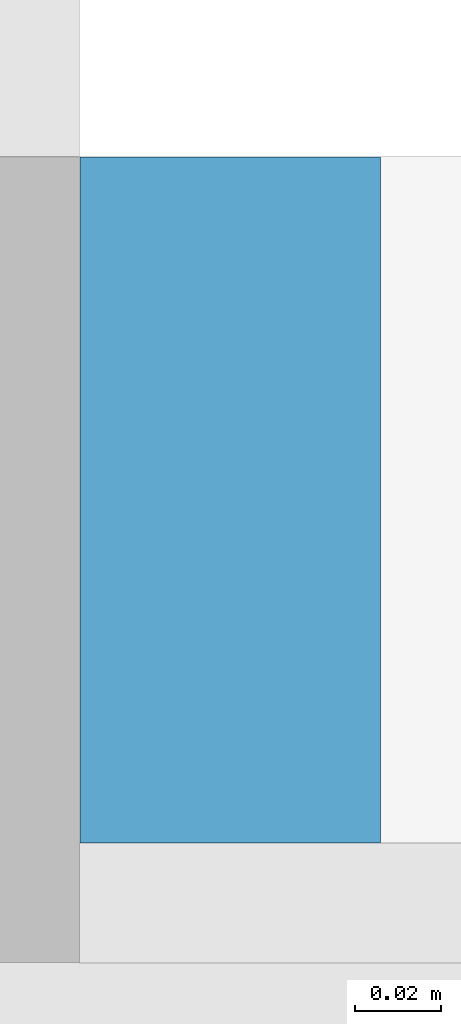
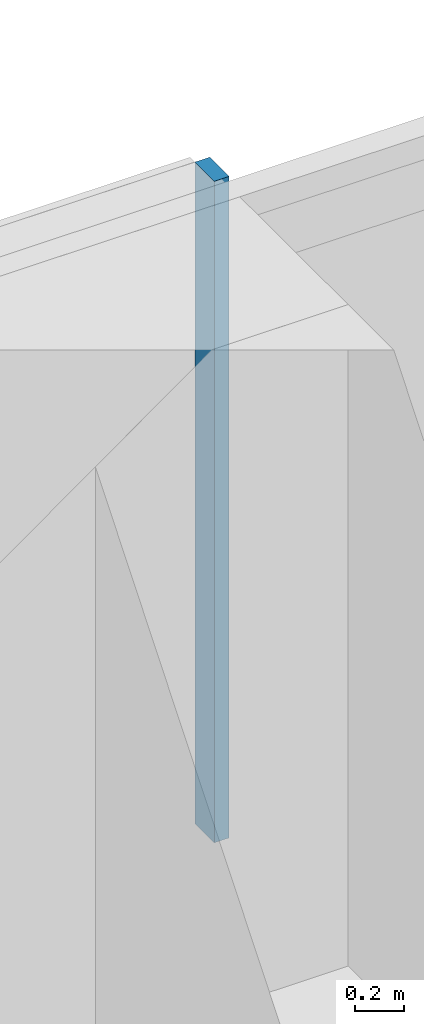
# One storey, part 10 of 29: 1 member, 1 element without a shape of its own.
"""IFC4 building model written with IfcOpenShell, lengths in metres."""

from ifc_helpers import new_model, si_unit, direction, frame, origin, origin_2d, place, context, subcontext, project, spatial, rectangle, extrude, material, material_profile, profile_set, type_object, element, aggregate, save


model = new_model("IFC4")

# Units and contexts
model_context = context("Model", 3, precision=1e-05, world=origin(), true_north=direction((0.0, 1.0)))
body_context = subcontext(model_context, "Body", "Model", "MODEL_VIEW")
ifc_project = project(units=[si_unit("LENGTHUNIT", "METRE"), si_unit("AREAUNIT", "SQUARE_METRE"), si_unit("VOLUMEUNIT", "CUBIC_METRE"), si_unit("PLANEANGLEUNIT", "RADIAN"), si_unit("MASSUNIT", "GRAM", prefix="KILO")], contexts=[model_context])

# Site, building, storey
site_placement = place(None, origin())
site = spatial("IfcSite", under=ifc_project, at=site_placement, CompositionType="ELEMENT")
building_placement = place(site_placement, origin())
building = spatial("IfcBuilding", under=site, at=building_placement, Name="Saffron Gate Tower", CompositionType="ELEMENT")
storey_placement = place(building_placement, frame((0.0, 0.0, 55.199951171875)))
storey = spatial("IfcBuildingStorey", under=building, at=storey_placement, Name="L12", CompositionType="ELEMENT", Elevation=55.199951171875)

# Curtain wall, member
ifc_material = material(Name="Aluminium, bronze anodised", Category="aluminium")
curtain_wall_type = type_object("IfcCurtainWallType", Name="CWS3 curtain wall rear facade", PredefinedType="NOTDEFINED", material=ifc_material)
curtain_wall_placement = place(storey_placement, origin())
curtain_wall = element("IfcCurtainWall", 1, at=curtain_wall_placement, inside=storey, type_object=curtain_wall_type, Name="CWS3 run 7", PredefinedType="NOTDEFINED")
ifc_material_profile = material_profile(ifc_material, rectangle(XDim=0.159912109375, YDim=0.070068359375, at=origin_2d()))
ifc_profile_set = profile_set([ifc_material_profile], Name="Aluminium, bronze anodised")
member_type = type_object("IfcMemberType", Name="CWS3 mullion 70x160", PredefinedType="MULLION", material=ifc_profile_set)
member_placement = place(storey_placement, frame((108.60009765625, 75.52001953125, 0.0), z_axis=(0.0, 0.0, 1.0), x_axis=(0.0, -1.0, 0.0)))
member = element("IfcMember", 2, at=member_placement, type_object=member_type, Name="CWS3 mullion 3", PredefinedType="MULLION", context=body_context, shape_type="SweptSolid", body=[
    extrude(rectangle(XDim=0.159912109375, YDim=0.070068359375, at=origin_2d()), origin(), (0.0, 0.0, 1.0), 3.320068359375),
])
aggregate(curtain_wall, [member])

save(model, "model.ifc")
